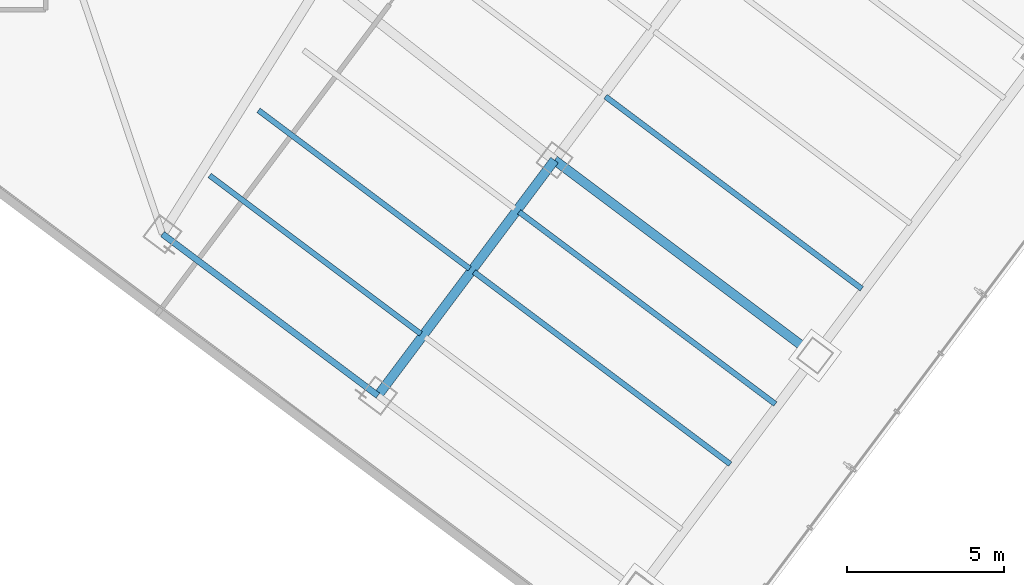
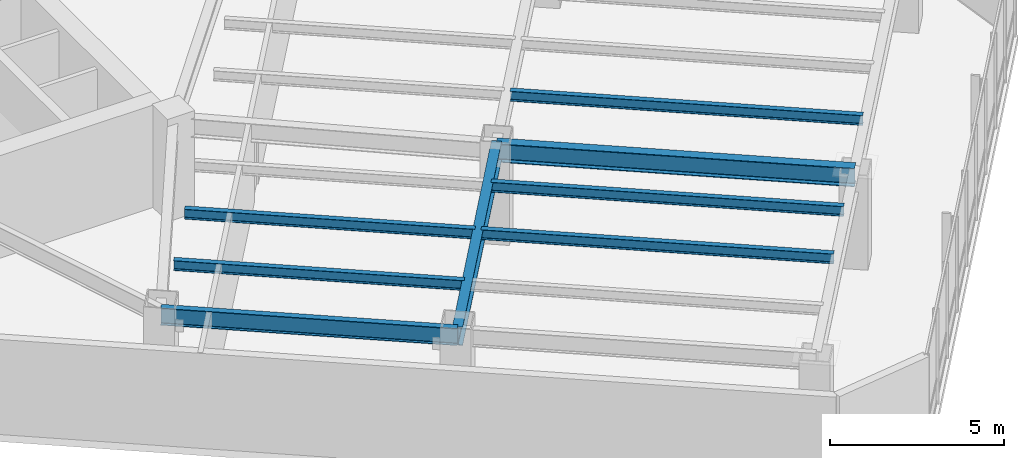
# One storey, part 7 of 29: 8 beams.
"""IFC4 building model written with IfcOpenShell, lengths in metres."""

from ifc_helpers import new_model, si_unit, direction, frame, origin, origin_2d, place, context, subcontext, project, spatial, i_section, extrude, material, material_profile, profile_set, type_object, element, save


model = new_model("IFC4")

# Units and contexts
model_context = context("Model", 3, precision=1e-05, world=origin(), true_north=direction((0.0, 1.0)))
body_context = subcontext(model_context, "Body", "Model", "MODEL_VIEW")
ifc_project = project(units=[si_unit("LENGTHUNIT", "METRE"), si_unit("AREAUNIT", "SQUARE_METRE"), si_unit("VOLUMEUNIT", "CUBIC_METRE"), si_unit("PLANEANGLEUNIT", "RADIAN"), si_unit("MASSUNIT", "GRAM", prefix="KILO")], contexts=[model_context])

# Site, building, storey
site_placement = place(None, origin())
site = spatial("IfcSite", under=ifc_project, at=site_placement, CompositionType="ELEMENT")
building_placement = place(site_placement, origin())
building = spatial("IfcBuilding", under=site, at=building_placement, Name="Hatsunagi Terrace Concourse", CompositionType="ELEMENT")
storey_placement = place(building_placement, frame((0.0, 0.0, 126.449951171875)))
storey = spatial("IfcBuildingStorey", under=building, at=storey_placement, Name="L33", CompositionType="ELEMENT", Elevation=126.449951171875)

# Beams
ifc_material_1 = material(Name="Steel SN490B", Category="steel")
ifc_material_profile_1 = material_profile(ifc_material_1, i_section(OverallWidth=0.175048828125, OverallDepth=0.35009765625, WebThickness=0.007080078125, FlangeThickness=0.010986328125, FilletRadius=0.012939453125, at=origin_2d()), Name="H-350x175x7x11")
ifc_profile_set_1 = profile_set([ifc_material_profile_1], Name="Steel SN490B")
beam_type_1 = type_object("IfcBeamType", Name="HotelJoist_H_350x175", PredefinedType="JOIST", material=ifc_profile_set_1)
for number, where, z_axis, x_axis, name in (
    (1, (40.18798828125, 17.908935546875, 3.175048828125), (0.800003475366, -0.59999536615, 0.0), (0.59999536615, 0.800003475366, 0.0), "Beam J-02 J-L33-SE-2-46"),
    (2, (41.748046875, 19.989013671875, 3.175048828125), (0.799989573921, -0.600013901187, 0.0), (0.600013901187, 0.799989573921, 0.0), "Beam J-02 J-L33-SE-2-72"),
):
    element("IfcBeam", number, at=place(storey_placement, frame(where, z_axis=z_axis, x_axis=x_axis)), inside=storey, type_object=beam_type_1, Name=name, PredefinedType="JOIST", context=body_context, shape_type="SweptSolid", body=[
        extrude(i_section(OverallWidth=0.175048828125, OverallDepth=0.35009765625, WebThickness=0.007080078125, FlangeThickness=0.010986328125, FilletRadius=0.012939453125, at=origin_2d()), origin(), (0.0, 0.0, 1.0), 8.429931640625),
    ])
beam_1_placement = place(storey_placement, frame((48.6279296875, 14.8291015625, 3.175048828125), z_axis=(0.799994272423, -0.600007636694, 0.0), x_axis=(0.600007636694, 0.799994272423, 0.0)))
element("IfcBeam", 3, at=beam_1_placement, inside=storey, type_object=beam_type_1, Name="Beam J-02 J-L33-SE-3-72", PredefinedType="JOIST", context=body_context, shape_type="SweptSolid", body=[
    extrude(i_section(OverallWidth=0.175048828125, OverallDepth=0.35009765625, WebThickness=0.007080078125, FlangeThickness=0.010986328125, FilletRadius=0.012939453125, at=origin_2d()), origin(), (0.0, 0.0, 1.0), 10.230224609375),
])
beam_2_placement = place(storey_placement, frame((50.068115234375, 16.7490234375, 3.175048828125), z_axis=(0.799997136125, -0.600003818481, 0.0), x_axis=(0.600003818481, 0.799997136125, 0.0)))
element("IfcBeam", 4, at=beam_2_placement, inside=storey, type_object=beam_type_1, Name="Beam J-02 J-L33-SE-3-96", PredefinedType="JOIST", context=body_context, shape_type="SweptSolid", body=[
    extrude(i_section(OverallWidth=0.175048828125, OverallDepth=0.35009765625, WebThickness=0.007080078125, FlangeThickness=0.010986328125, FilletRadius=0.012939453125, at=origin_2d()), origin(), (0.0, 0.0, 1.0), 10.229736328125),
])
beam_3_placement = place(storey_placement, frame((52.827880859375, 20.428955078125, 3.175048828125), z_axis=(0.800005727586, -0.599992363142, 0.0), x_axis=(0.599992363142, 0.800005727586, 0.0)))
element("IfcBeam", 5, at=beam_3_placement, inside=storey, type_object=beam_type_1, Name="Beam J-02 J-L33-SE-3-142", PredefinedType="JOIST", context=body_context, shape_type="SweptSolid", body=[
    extrude(i_section(OverallWidth=0.175048828125, OverallDepth=0.35009765625, WebThickness=0.007080078125, FlangeThickness=0.010986328125, FilletRadius=0.012939453125, at=origin_2d()), origin(), (0.0, 0.0, 1.0), 10.22998046875),
])
ifc_material_2 = material(Name="Steel SN490B", Category="steel")
ifc_material_profile_2 = material_profile(ifc_material_2, i_section(OverallWidth=0.300048828125, OverallDepth=0.64990234375, WebThickness=0.012939453125, FlangeThickness=0.02197265625, FilletRadius=0.01806640625, at=origin_2d()), Name="H-650x300x13x22")
ifc_profile_set_2 = profile_set([ifc_material_profile_2], Name="Steel SN490B")
beam_type_2 = type_object("IfcBeamType", Name="OfficeLowGirder_H_650x300", PredefinedType="BEAM", material=ifc_profile_set_2)
beam_4_placement = place(storey_placement, frame((45.56005859375, 10.8798828125, 3.025146484375), z_axis=(0.599991688754, 0.800006233367, 0.0), x_axis=(-0.800006233367, 0.599991688754, 0.0)))
element("IfcBeam", 6, at=beam_4_placement, inside=storey, type_object=beam_type_2, Name="Beam G-05 BM-L33-SET-2A", PredefinedType="BEAM", context=body_context, shape_type="SweptSolid", body=[
    extrude(i_section(OverallWidth=0.300048828125, OverallDepth=0.64990234375, WebThickness=0.012939453125, FlangeThickness=0.02197265625, FilletRadius=0.01806640625, at=origin_2d()), origin(), (0.0, 0.0, 1.0), 9.39990234375),
])
beam_5_placement = place(storey_placement, frame((51.199951171875, 18.39990234375, 3.025146484375), z_axis=(0.800002816985, -0.599996244001, 0.0), x_axis=(0.599996244001, 0.800002816985, 0.0)))
element("IfcBeam", 7, at=beam_5_placement, inside=storey, type_object=beam_type_2, Name="Beam G-05 BM-L33-SE-M3", PredefinedType="BEAM", context=body_context, shape_type="SweptSolid", body=[
    extrude(i_section(OverallWidth=0.300048828125, OverallDepth=0.64990234375, WebThickness=0.012939453125, FlangeThickness=0.02197265625, FilletRadius=0.01806640625, at=origin_2d()), origin(), (0.0, 0.0, 1.0), 10.400146484375),
])
ifc_material_3 = material(Name="Steel SN490B", Category="steel")
ifc_material_profile_3 = material_profile(ifc_material_3, i_section(OverallWidth=0.199951171875, OverallDepth=0.60009765625, WebThickness=0.010986328125, FlangeThickness=0.01708984375, FilletRadius=0.01806640625, at=origin_2d()), Name="H-600x200x11x17")
ifc_profile_set_3 = profile_set([ifc_material_profile_3], Name="Steel SN490B")
beam_type_3 = type_object("IfcBeamType", Name="PerimeterSpandrel_H_600x200", PredefinedType="SPANDREL", material=ifc_profile_set_3)
beam_6_placement = place(storey_placement, frame((38.679931640625, 16.0400390625, 3.050048828125), z_axis=(0.799996593451, -0.600004542038, 0.0), x_axis=(0.600004542038, 0.799996593451, 0.0)))
element("IfcBeam", 8, at=beam_6_placement, inside=storey, type_object=beam_type_3, Name="Beam SP-01 BM-L33-SE-SW2", PredefinedType="SPANDREL", context=body_context, shape_type="SweptSolid", body=[
    extrude(i_section(OverallWidth=0.199951171875, OverallDepth=0.60009765625, WebThickness=0.010986328125, FlangeThickness=0.01708984375, FilletRadius=0.01806640625, at=origin_2d()), origin(), (0.0, 0.0, 1.0), 8.60009765625),
])

save(model, "model.ifc")
